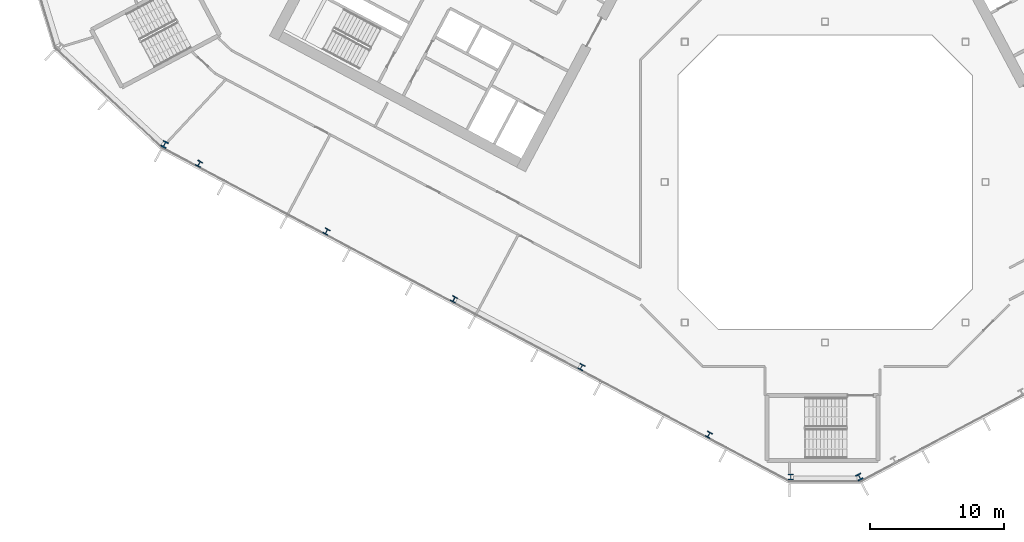
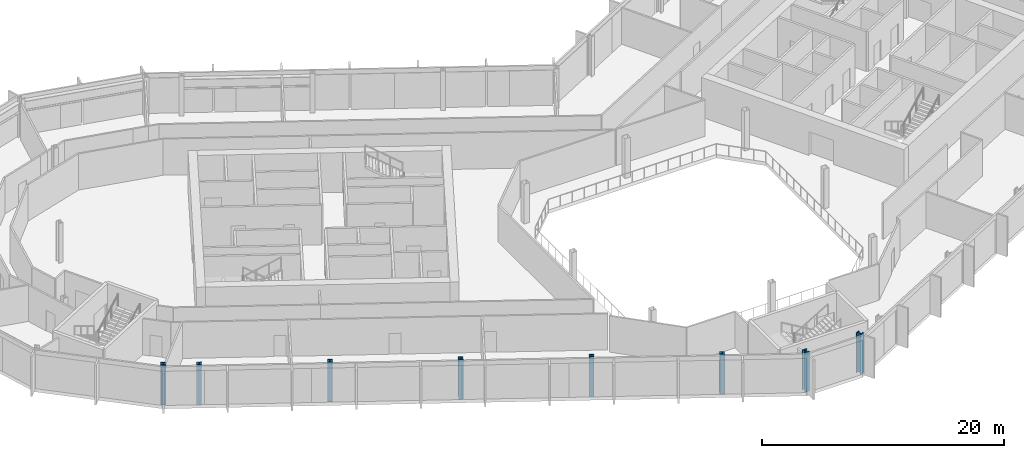
# One storey, part 1 of 28: 8 columns.
"""IFC4 building model written with IfcOpenShell, lengths in metres."""

from ifc_helpers import new_model, si_unit, direction, frame, origin, origin_2d, place, context, subcontext, project, spatial, i_section, extrude, material, material_profile, profile_set, type_object, element, save


model = new_model("IFC4")

# Units and contexts
model_context = context("Model", 3, precision=1e-05, world=origin(), true_north=direction((0.0, 1.0)))
body_context = subcontext(model_context, "Body", "Model", "MODEL_VIEW")
ifc_project = project(units=[si_unit("LENGTHUNIT", "METRE"), si_unit("AREAUNIT", "SQUARE_METRE"), si_unit("VOLUMEUNIT", "CUBIC_METRE"), si_unit("PLANEANGLEUNIT", "RADIAN"), si_unit("MASSUNIT", "GRAM", prefix="KILO")], contexts=[model_context])

# Site, building, storey
site_placement = place(None, origin())
site = spatial("IfcSite", under=ifc_project, at=site_placement, CompositionType="ELEMENT")
building_placement = place(site_placement, origin())
building = spatial("IfcBuilding", under=site, at=building_placement, Name="Cormorant Relay Tower", CompositionType="ELEMENT")
storey_placement = place(building_placement, frame((0.0, 0.0, 134.199951171875)))
storey = spatial("IfcBuildingStorey", under=building, at=storey_placement, Name="L27", CompositionType="ELEMENT", Elevation=134.199951171875)

# Columns
ifc_material_1 = material(Name="Steel ASTM A992 (Fy 345 MPa)", Category="steel")
ifc_material_profile_1 = material_profile(ifc_material_1, i_section(OverallWidth=0.41162109375, OverallDepth=0.434326171875, WebThickness=0.035888671875, FlangeThickness=0.057373046875, FilletRadius=0.01513671875, at=origin_2d()), Name="W360x463")
ifc_profile_set_1 = profile_set([ifc_material_profile_1], Name="Steel ASTM A992 (Fy 345 MPa)")
column_type_1 = type_object("IfcColumnType", Name="Column W360x463", PredefinedType="COLUMN", material=ifc_profile_set_1)
for number, where, z_axis, x_axis, name in (
    (1, (-8.696044921875, -18.910888671875, 0.0), (0.0, 0.0, 1.0), (0.882947592859, -0.469471562786, 0.0), "Column L27-004"),
    (2, (-18.23193359375, -13.841064453125, 0.0), (0.0, 0.0, 1.0), (0.882947592859, -0.469471562786, 0.0), "Column L27-006"),
    (3, (-27.76806640625, -8.77001953125, 0.0), (0.0, 0.0, 1.0), (0.882947592859, -0.469471562786, 0.0), "Column L27-011"),
    (4, (-37.303955078125, -3.699951171875, 0.0), (0.0, 0.0, 1.0), (0.882947592859, -0.469471562786, 0.0), "Column L27-013"),
    (5, (-46.839111328125, 1.3701171875, 0.0), (0.0, 0.0, 1.0), (0.882947592859, -0.469471562786, 0.0), "Column L27-018"),
):
    element("IfcColumn", number, at=place(storey_placement, frame(where, z_axis=z_axis, x_axis=x_axis)), inside=storey, type_object=column_type_1, Name=name, PredefinedType="COLUMN", context=body_context, shape_type="SweptSolid", body=[
        extrude(i_section(OverallWidth=0.41162109375, OverallDepth=0.434326171875, WebThickness=0.035888671875, FlangeThickness=0.057373046875, FilletRadius=0.01513671875, at=origin_2d()), origin(), (0.0, 0.0, 1.0), 4.0),
    ])
ifc_material_2 = material(Name="Steel ASTM A992 (Fy 345 MPa)", Category="steel")
ifc_material_profile_2 = material_profile(ifc_material_2, i_section(OverallWidth=0.42431640625, OverallDepth=0.47509765625, WebThickness=0.0478515625, FlangeThickness=0.0771484375, FilletRadius=0.014892578125, at=origin_2d()), Name="W360x634")
ifc_profile_set_2 = profile_set([ifc_material_profile_2], Name="Steel ASTM A992 (Fy 345 MPa)")
column_type_2 = type_object("IfcColumnType", Name="Column W360x634", PredefinedType="COLUMN", material=ifc_profile_set_2)
for number, where, z_axis, x_axis, name in (
    (6, (-2.571044921875, -22.06494140625, 0.0), (0.0, 0.0, 1.0), (1.0, 0.0, 0.0), "Column L27-001"),
    (7, (2.571044921875, -22.06494140625, 0.0), (0.0, 0.0, 1.0), (0.882947592859, 0.469471562786, 0.0), "Column L27-002"),
    (8, (-49.423095703125, 2.820068359375, 0.0), (0.0, 0.0, 1.0), (0.882947592859, -0.469471562786, 0.0), "Column L27-019"),
):
    element("IfcColumn", number, at=place(storey_placement, frame(where, z_axis=z_axis, x_axis=x_axis)), inside=storey, type_object=column_type_2, Name=name, PredefinedType="COLUMN", context=body_context, shape_type="SweptSolid", body=[
        extrude(i_section(OverallWidth=0.42431640625, OverallDepth=0.47509765625, WebThickness=0.0478515625, FlangeThickness=0.0771484375, FilletRadius=0.014892578125, at=origin_2d()), origin(), (0.0, 0.0, 1.0), 4.0),
    ])

save(model, "model.ifc")
